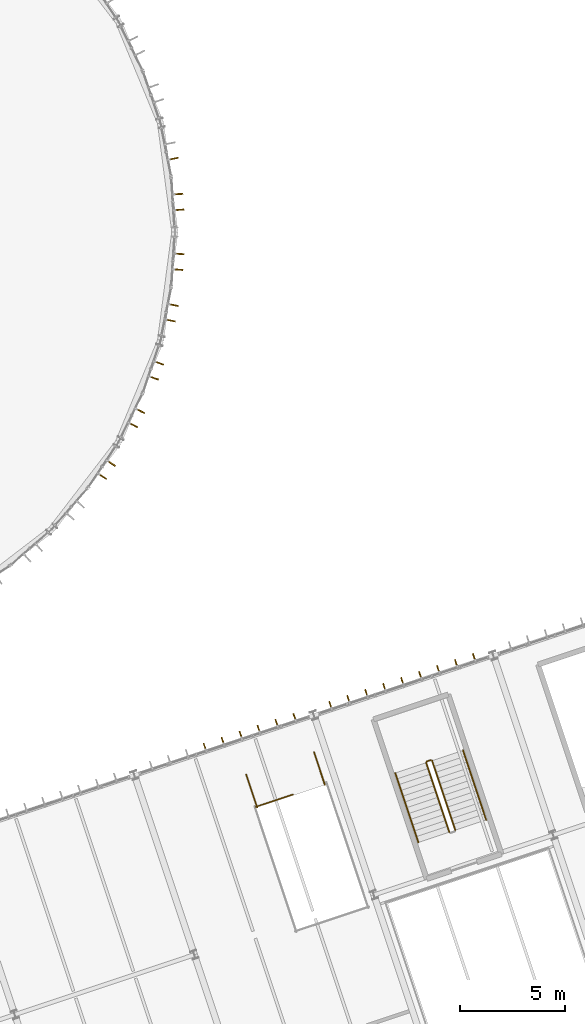
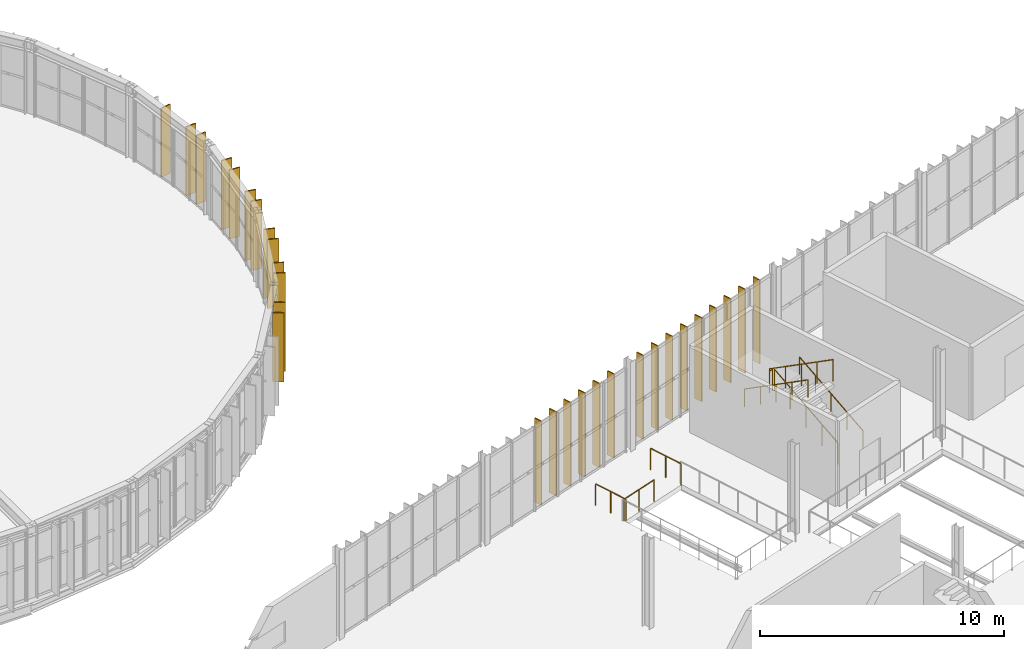
# One storey, part 145 of 152: 15 shading devices, 13 coverings, 8 railings.
"""IFC4 building model written with IfcOpenShell, lengths in metres."""

from ifc_helpers import new_model, si_unit, derived_unit, direction, frame, origin, origin_2d, place, context, subcontext, project, spatial, rectangle, circle, extrude, material, layer, layer_set, type_object, element, save


model = new_model("IFC4")

# Units and contexts
model_context = context("Model", 3, precision=1e-05, world=origin(), true_north=direction((0.0, 1.0)))
body_context = subcontext(model_context, "Body", "Model", "MODEL_VIEW")
ifc_project = project(units=[si_unit("LENGTHUNIT", "METRE"), si_unit("AREAUNIT", "SQUARE_METRE"), si_unit("VOLUMEUNIT", "CUBIC_METRE"), si_unit("PLANEANGLEUNIT", "RADIAN"), si_unit("MASSUNIT", "GRAM", prefix="KILO"), si_unit("THERMODYNAMICTEMPERATUREUNIT", "KELVIN"), si_unit("TIMEUNIT", "SECOND"), derived_unit("THERMALTRANSMITTANCEUNIT", [(si_unit("MASSUNIT", "GRAM", prefix="KILO"), 1), (si_unit("THERMODYNAMICTEMPERATUREUNIT", "KELVIN"), -1), (si_unit("TIMEUNIT", "SECOND"), -3)])], contexts=[model_context])

# Site, building, storey
site_placement = place(None, origin())
site = spatial("IfcSite", under=ifc_project, at=site_placement, CompositionType="ELEMENT")
building_placement = place(site_placement, origin())
building = spatial("IfcBuilding", under=site, at=building_placement, Name="Cambertide Market Hall", CompositionType="ELEMENT")
storey_placement = place(building_placement, frame((0.0, 0.0, 5.39990234375)))
storey = spatial("IfcBuildingStorey", under=building, at=storey_placement, Name="L02", CompositionType="ELEMENT", Elevation=5.39990234375)

# Railings
ifc_material_1 = material(Name="Stainless Steel Grade 316", Category="metal")
railing_type_1 = type_object("IfcRailingType", Name="Stair Wall Handrail 900", PredefinedType="HANDRAIL", material=ifc_material_1)
railing_1_placement = place(storey_placement, frame((139.8046875, 44.033935546875, 0.173095703125)))
element("IfcRailing", 1, at=railing_1_placement, inside=storey, type_object=railing_type_1, Name="Level 2 ST-06B stair handrail 1", PredefinedType="HANDRAIL", context=body_context, shape_type="SweptSolid", body=[
    extrude(circle(Radius=0.02392578125, at=origin_2d()), frame((0.0, 0.0, 0.8759765625), z_axis=(-0.271522488775, 0.814627710942, 0.512500956736), x_axis=(-0.948690313719, -0.316206718232, 0.0)), (0.0, 0.0, 1.0), 4.052490234375),
    extrude(circle(Radius=0.02099609375, at=origin_2d()), origin(), (0.0, 0.0, 1.0), 0.851806640625),
    extrude(circle(Radius=0.02099609375, at=origin_2d()), frame((-0.275146484375, 0.8251953125, 0.519287109375)), (0.0, 0.0, 1.0), 0.851806640625),
    extrude(circle(Radius=0.02099609375, at=origin_2d()), frame((-0.55029296875, 1.650634765625, 1.03857421875)), (0.0, 0.0, 1.0), 0.851806640625),
    extrude(circle(Radius=0.02099609375, at=origin_2d()), frame((-0.8251953125, 2.47607421875, 1.5576171875)), (0.0, 0.0, 1.0), 0.851806640625),
    extrude(circle(Radius=0.02099609375, at=origin_2d()), frame((-1.100341796875, 3.30126953125, 2.076904296875)), (0.0, 0.0, 1.0), 0.851806640625),
])
railing_2_placement = place(storey_placement, frame((135.478759765625, 46.260009765625, 2.423095703125)))
element("IfcRailing", 2, at=railing_2_placement, inside=storey, type_object=railing_type_1, Name="Level 2 ST-06B stair handrail 2", PredefinedType="HANDRAIL", context=body_context, shape_type="SweptSolid", body=[
    extrude(circle(Radius=0.02392578125, at=origin_2d()), frame((0.0, 0.0, 0.8759765625), z_axis=(0.271578290521, -0.814614384299, 0.51249257264), x_axis=(0.948669265623, 0.316269860186, 0.0)), (0.0, 0.0, 1.0), 4.052490234375),
    extrude(circle(Radius=0.02099609375, at=origin_2d()), origin(), (0.0, 0.0, 1.0), 0.851806640625),
    extrude(circle(Radius=0.02099609375, at=origin_2d()), frame((0.275146484375, -0.8251953125, 0.519287109375)), (0.0, 0.0, 1.0), 0.851806640625),
    extrude(circle(Radius=0.02099609375, at=origin_2d()), frame((0.55029296875, -1.650634765625, 1.03857421875)), (0.0, 0.0, 1.0), 0.851806640625),
    extrude(circle(Radius=0.02099609375, at=origin_2d()), frame((0.825439453125, -2.47607421875, 1.5576171875)), (0.0, 0.0, 1.0), 0.851806640625),
    extrude(circle(Radius=0.02099609375, at=origin_2d()), frame((1.1005859375, -3.30126953125, 2.076904296875)), (0.0, 0.0, 1.0), 0.851806640625),
])
ifc_material_2 = material(Name="Stainless Steel Grade 316", Category="metal")
railing_type_2 = type_object("IfcRailingType", Name="Stairwell Inner Guardrail 1100", PredefinedType="GUARDRAIL", material=ifc_material_2)
railing_3_placement = place(storey_placement, frame((138.334228515625, 43.543701171875, 0.173095703125)))
element("IfcRailing", 3, at=railing_3_placement, inside=storey, type_object=railing_type_2, Name="Level 2 ST-06B stair guard 1", PredefinedType="GUARDRAIL", context=body_context, shape_type="SweptSolid", body=[
    extrude(circle(Radius=0.02392578125, at=origin_2d()), frame((0.0, 0.0, 1.076171875), z_axis=(-0.271509163772, 0.814647974636, 0.512475805682), x_axis=(-0.948697327987, -0.316185673093, 0.0)), (0.0, 0.0, 1.0), 4.052734375),
    extrude(circle(Radius=0.02099609375, at=origin_2d()), origin(), (0.0, 0.0, 1.0), 1.052001953125),
    extrude(circle(Radius=0.02099609375, at=origin_2d()), frame((-0.275146484375, 0.825439453125, 0.519287109375)), (0.0, 0.0, 1.0), 1.052001953125),
    extrude(circle(Radius=0.02099609375, at=origin_2d()), frame((-0.55029296875, 1.65087890625, 1.03857421875)), (0.0, 0.0, 1.0), 1.052001953125),
    extrude(circle(Radius=0.02099609375, at=origin_2d()), frame((-0.8251953125, 2.47607421875, 1.5576171875)), (0.0, 0.0, 1.0), 1.052001953125),
    extrude(circle(Radius=0.02099609375, at=origin_2d()), frame((-1.100341796875, 3.301513671875, 2.076904296875)), (0.0, 0.0, 1.0), 1.052001953125),
])
railing_4_placement = place(storey_placement, frame((137.170654296875, 46.876708984375, 2.25)))
element("IfcRailing", 4, at=railing_4_placement, inside=storey, type_object=railing_type_2, Name="Level 2 ST-06B stair guard 2", PredefinedType="GUARDRAIL", context=body_context, shape_type="SweptSolid", body=[
    extrude(circle(Radius=0.02392578125, at=origin_2d()), frame((0.0, 0.0, 1.076171875), z_axis=(-0.948805181896, -0.31586187932, 0.0), x_axis=(0.31586187932, -0.948805181896, 0.0)), (0.0, 0.0, 1.0), 0.2001953125),
    extrude(circle(Radius=0.02099609375, at=origin_2d()), origin(), (0.0, 0.0, 1.0), 1.052001953125),
    extrude(circle(Radius=0.02099609375, at=origin_2d()), frame((-0.18994140625, -0.063232421875, 0.0)), (0.0, 0.0, 1.0), 1.052001953125),
])
railing_5_placement = place(storey_placement, frame((136.94921875, 46.750244140625, 2.423095703125)))
element("IfcRailing", 5, at=railing_5_placement, inside=storey, type_object=railing_type_2, Name="Level 2 ST-06B stair guard 3", PredefinedType="GUARDRAIL", context=body_context, shape_type="SweptSolid", body=[
    extrude(circle(Radius=0.02392578125, at=origin_2d()), frame((0.0, 0.0, 1.076171875), z_axis=(0.271564963215, -0.81463464897, 0.51246742282), x_axis=(0.948676282537, 0.316248811778, 0.0)), (0.0, 0.0, 1.0), 4.052734375),
    extrude(circle(Radius=0.02099609375, at=origin_2d()), origin(), (0.0, 0.0, 1.0), 1.052001953125),
    extrude(circle(Radius=0.02099609375, at=origin_2d()), frame((0.275146484375, -0.825439453125, 0.519287109375)), (0.0, 0.0, 1.0), 1.052001953125),
    extrude(circle(Radius=0.02099609375, at=origin_2d()), frame((0.55029296875, -1.65087890625, 1.03857421875)), (0.0, 0.0, 1.0), 1.052001953125),
    extrude(circle(Radius=0.02099609375, at=origin_2d()), frame((0.825439453125, -2.47607421875, 1.5576171875)), (0.0, 0.0, 1.0), 1.052001953125),
    extrude(circle(Radius=0.02099609375, at=origin_2d()), frame((1.1005859375, -3.301513671875, 2.076904296875)), (0.0, 0.0, 1.0), 1.052001953125),
])
railing_6_placement = place(storey_placement, frame((128.847412109375, 44.650634765625, 0.0)))
element("IfcRailing", 6, at=railing_6_placement, inside=storey, type_object=railing_type_2, Name="Level 2 ST-12 top well guard 1", PredefinedType="GUARDRAIL", context=body_context, shape_type="SweptSolid", body=[
    extrude(circle(Radius=0.02392578125, at=origin_2d()), frame((0.0, 0.0, 1.076171875), z_axis=(0.948696493726, 0.316188176237, 0.0), x_axis=(-0.316188176237, 0.948696493726, 0.0)), (0.0, 0.0, 1.0), 1.85009765625),
    extrude(circle(Radius=0.02099609375, at=origin_2d()), origin(), (0.0, 0.0, 1.0), 1.052001953125),
    extrude(circle(Radius=0.02099609375, at=origin_2d()), frame((0.87744140625, 0.29248046875, 0.0)), (0.0, 0.0, 1.0), 1.052001953125),
    extrude(circle(Radius=0.02099609375, at=origin_2d()), frame((1.755126953125, 0.5849609375, 0.0)), (0.0, 0.0, 1.0), 1.052001953125),
])
railing_7_placement = place(storey_placement, frame((128.388916015625, 46.184326171875, 0.0)))
element("IfcRailing", 7, at=railing_7_placement, inside=storey, type_object=railing_type_2, Name="Level 2 ST-12 top well guard 5", PredefinedType="GUARDRAIL", context=body_context, shape_type="SweptSolid", body=[
    extrude(circle(Radius=0.02392578125, at=origin_2d()), frame((0.0, 0.0, 1.076171875), z_axis=(0.316183378673, -0.948698092678, 0.0), x_axis=(0.948698092678, 0.316183378673, 0.0)), (0.0, 0.0, 1.0), 1.650146484375),
    extrude(circle(Radius=0.02099609375, at=origin_2d()), origin(), (0.0, 0.0, 1.0), 1.052001953125),
    extrude(circle(Radius=0.02099609375, at=origin_2d()), frame((0.2607421875, -0.78271484375, 0.0)), (0.0, 0.0, 1.0), 1.052001953125),
    extrude(circle(Radius=0.02099609375, at=origin_2d()), frame((0.521728515625, -1.5654296875, 0.0)), (0.0, 0.0, 1.0), 1.052001953125),
])
railing_8_placement = place(storey_placement, frame((131.614501953125, 47.25927734375, 0.0)))
element("IfcRailing", 8, at=railing_8_placement, inside=storey, type_object=railing_type_2, Name="Level 2 ST-12 top well guard 6", PredefinedType="GUARDRAIL", context=body_context, shape_type="SweptSolid", body=[
    extrude(circle(Radius=0.02392578125, at=origin_2d()), frame((0.0, 0.0, 1.076171875), z_axis=(0.316227766017, -0.948683298051, 0.0), x_axis=(0.948683298051, 0.316227766017, 0.0)), (0.0, 0.0, 1.0), 1.64990234375),
    extrude(circle(Radius=0.02099609375, at=origin_2d()), origin(), (0.0, 0.0, 1.0), 1.052001953125),
    extrude(circle(Radius=0.02099609375, at=origin_2d()), frame((0.2607421875, -0.78271484375, 0.0)), (0.0, 0.0, 1.0), 1.052001953125),
    extrude(circle(Radius=0.02099609375, at=origin_2d()), frame((0.521728515625, -1.565185546875, 0.0)), (0.0, 0.0, 1.0), 1.052001953125),
])

# Coverings
ifc_material_3 = material(Name="White Marine Anodized Aluminium 6063-T6 AA25", Category="aluminium")
ifc_layer_1 = layer(ifc_material_3, 0.06005859375, Name="White Anodized Lantern Vertical Fin 480x60")
ifc_layer_set_1 = layer_set([ifc_layer_1], Name="White Marine Anodized Aluminium 6063-T6 AA25")
covering_type = type_object("IfcCoveringType", Name="White Anodized Lantern Vertical Fin 480x60", PredefinedType="CLADDING", material=ifc_layer_set_1)
for number, where, z_axis, x_axis, name in (
    (9, (121.962646484375, 60.99658203125, 0.0), (0.0, 0.0, 1.0), (-0.555570087582, -0.831469709481, 0.0), "CW-V1AE-L02-08 Vertical Fin 1"),
    (10, (121.546142578125, 60.373046875, 0.0), (0.0, 0.0, 1.0), (-0.555570087582, -0.831469709481, 0.0), "CW-V1AE-L02-08 Vertical Fin 2"),
    (11, (123.34228515625, 63.484130859375, 0.0), (0.0, 0.0, 1.0), (-0.442288874522, -0.896872650645, 0.0), "CW-V1AE-L02-09 Vertical Fin 1"),
    (12, (123.010498046875, 62.8115234375, 0.0), (0.0, 0.0, 1.0), (-0.442288874522, -0.896872650645, 0.0), "CW-V1AE-L02-09 Vertical Fin 2"),
    (13, (124.232666015625, 65.76171875, 0.0), (0.0, 0.0, 1.0), (-0.32143947831, -0.94693012508, 0.0), "CW-V1AE-L02-10 Vertical Fin 1"),
    (14, (123.991455078125, 65.051513671875, 0.0), (0.0, 0.0, 1.0), (-0.32143947831, -0.94693012508, 0.0), "CW-V1AE-L02-10 Vertical Fin 2"),
    (15, (124.92138671875, 68.521728515625, 0.0), (0.0, 0.0, 1.0), (-0.195090068226, -0.980785330885, 0.0), "CW-V1AE-L02-11 Vertical Fin 1"),
    (16, (124.775146484375, 67.7861328125, 0.0), (0.0, 0.0, 1.0), (-0.195090068226, -0.980785330885, 0.0), "CW-V1AE-L02-11 Vertical Fin 2"),
    (17, (125.19189453125, 70.9521484375, 0.0), (0.0, 0.0, 1.0), (-0.065403211921, -0.997858917819, 0.0), "CW-V1AE-L02-12 Vertical Fin 1"),
    (18, (125.142822265625, 70.203857421875, 0.0), (0.0, 0.0, 1.0), (-0.065403211921, -0.997858917819, 0.0), "CW-V1AE-L02-12 Vertical Fin 2"),
    (19, (125.142822265625, 73.796142578125, 0.0), (0.0, 0.0, 1.0), (0.065403211921, -0.997858917819, 0.0), "CW-V1AE-L02-13 Vertical Fin 1"),
    (20, (125.19189453125, 73.0478515625, 0.0), (0.0, 0.0, 1.0), (0.065403211921, -0.997858917819, 0.0), "CW-V1AE-L02-13 Vertical Fin 2"),
    (21, (124.92138671875, 75.478271484375, 0.0), (0.0, 0.0, 1.0), (0.195090068226, -0.980785330885, 0.0), "CW-V1AE-L02-14 Vertical Fin 2"),
):
    element("IfcCovering", number, at=place(storey_placement, frame(where, z_axis=z_axis, x_axis=x_axis)), inside=storey, type_object=covering_type, Name=name, PredefinedType="CLADDING", context=body_context, shape_type="SweptSolid", body=[
        extrude(rectangle(XDim=0.06005859375, YDim=0.47998046875, at=origin_2d()), origin(), (0.0, 0.0, 1.0), 3.449951171875),
    ])

# Shading devices
ifc_material_4 = material(Name="Champagne Marine Anodized Aluminium 6063-T6 AA25", Category="aluminium")
ifc_layer_2 = layer(ifc_material_4, 0.054931640625, Name="Wing Facade Vertical Sun Fin 380x55")
ifc_layer_set_2 = layer_set([ifc_layer_2], Name="Champagne Marine Anodized Aluminium 6063-T6 AA25")
shading_device_type = type_object("IfcShadingDeviceType", Name="Wing Facade Vertical Sun Fin 380x55", PredefinedType="JALOUSIE", material=ifc_layer_set_2)
for number, where, z_axis, x_axis, name in (
    (22, (126.425048828125, 47.490234375, 0.0), (0.0, 0.0, 1.0), (0.948683286311, 0.316227801236, 0.0), "CW-V3N-L02-4 Vertical Fin 4"),
    (23, (127.279052734375, 47.77490234375, 0.0), (0.0, 0.0, 1.0), (0.948683286311, 0.316227801236, 0.0), "CW-V3N-L02-4 Vertical Fin 5"),
    (24, (128.1328125, 48.0595703125, 0.0), (0.0, 0.0, 1.0), (0.948683286311, 0.316227801236, 0.0), "CW-V3N-L02-4 Vertical Fin 6"),
    (25, (128.986572265625, 48.343994140625, 0.0), (0.0, 0.0, 1.0), (0.948683286311, 0.316227801236, 0.0), "CW-V3N-L02-4 Vertical Fin 7"),
    (26, (129.84033203125, 48.628662109375, 0.0), (0.0, 0.0, 1.0), (0.948683286311, 0.316227801236, 0.0), "CW-V3N-L02-4 Vertical Fin 8"),
    (27, (130.6943359375, 48.913330078125, 0.0), (0.0, 0.0, 1.0), (0.948683286311, 0.316227801236, 0.0), "CW-V3N-L02-4 Vertical Fin 9"),
    (28, (132.40185546875, 49.482421875, 0.0), (0.0, 0.0, 1.0), (0.948683286311, 0.316227801236, 0.0), "CW-V3N-L02-5 Vertical Fin 1"),
    (29, (133.255615234375, 49.76708984375, 0.0), (0.0, 0.0, 1.0), (0.948683286311, 0.316227801236, 0.0), "CW-V3N-L02-5 Vertical Fin 2"),
    (30, (134.109375, 50.0517578125, 0.0), (0.0, 0.0, 1.0), (0.948683286311, 0.316227801236, 0.0), "CW-V3N-L02-5 Vertical Fin 3"),
    (31, (134.96337890625, 50.336181640625, 0.0), (0.0, 0.0, 1.0), (0.948683286311, 0.316227801236, 0.0), "CW-V3N-L02-5 Vertical Fin 4"),
    (32, (135.817138671875, 50.620849609375, 0.0), (0.0, 0.0, 1.0), (0.948683286311, 0.316227801236, 0.0), "CW-V3N-L02-5 Vertical Fin 5"),
    (33, (136.6708984375, 50.905517578125, 0.0), (0.0, 0.0, 1.0), (0.948683286311, 0.316227801236, 0.0), "CW-V3N-L02-5 Vertical Fin 6"),
    (34, (137.524658203125, 51.190185546875, 0.0), (0.0, 0.0, 1.0), (0.948683286311, 0.316227801236, 0.0), "CW-V3N-L02-5 Vertical Fin 7"),
    (35, (138.378662109375, 51.474609375, 0.0), (0.0, 0.0, 1.0), (0.948683286311, 0.316227801236, 0.0), "CW-V3N-L02-5 Vertical Fin 8"),
    (36, (139.232421875, 51.75927734375, 0.0), (0.0, 0.0, 1.0), (0.948683286311, 0.316227801236, 0.0), "CW-V3N-L02-5 Vertical Fin 9"),
):
    element("IfcShadingDevice", number, at=place(storey_placement, frame(where, z_axis=z_axis, x_axis=x_axis)), inside=storey, type_object=shading_device_type, Name=name, PredefinedType="JALOUSIE", context=body_context, shape_type="SweptSolid", body=[
        extrude(rectangle(XDim=0.054931640625, YDim=0.3798828125, at=origin_2d()), origin(), (0.0, 0.0, 1.0), 4.199951171875),
    ])

save(model, "model.ifc")
